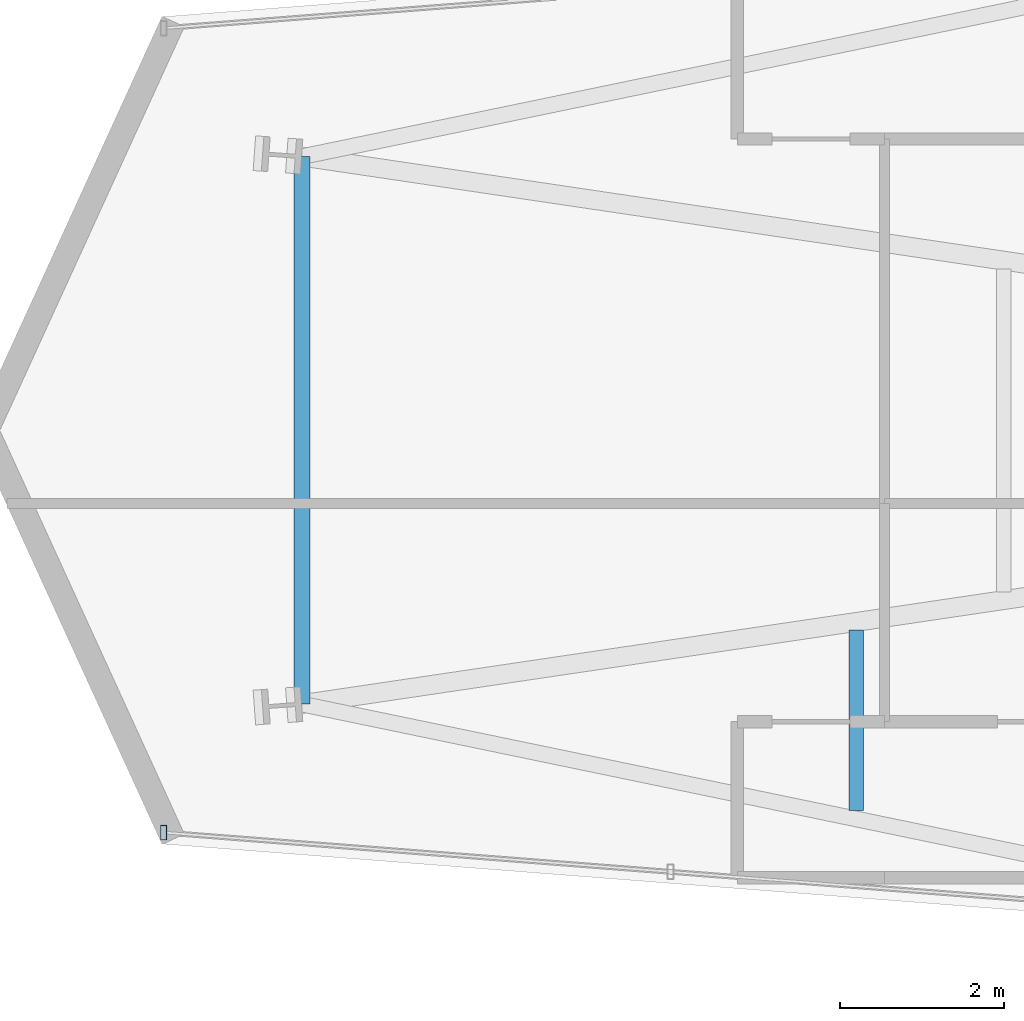
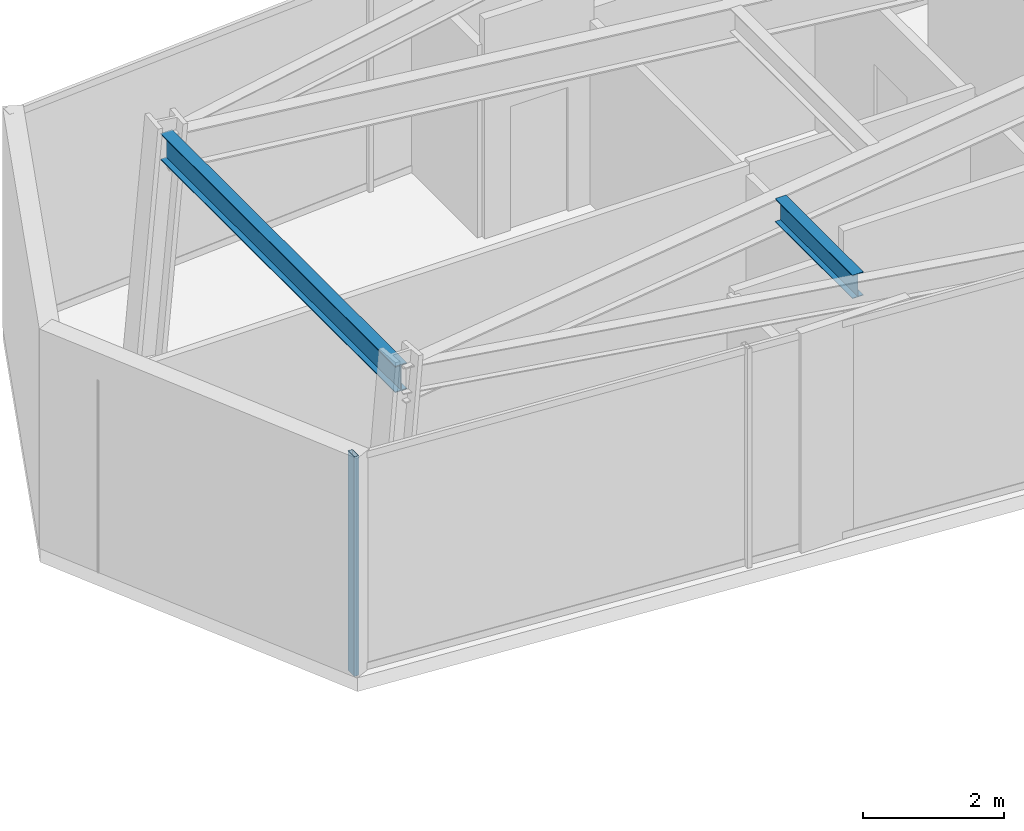
# One storey, part 6 of 29: 2 beams, 1 member, 1 element without a shape of its own.
"""IFC4 building model written with IfcOpenShell, lengths in metres."""

from ifc_helpers import new_model, si_unit, direction, frame, origin, origin_2d, place, context, subcontext, project, spatial, hollow_rectangle, i_section, extrude, material, layer, layer_set, material_profile, profile_set, type_object, element, aggregate, save


model = new_model("IFC4")

# Units and contexts
model_context = context("Model", 3, precision=1e-05, world=origin(), true_north=direction((0.0, 1.0)))
body_context = subcontext(model_context, "Body", "Model", "MODEL_VIEW")
ifc_project = project(units=[si_unit("LENGTHUNIT", "METRE"), si_unit("AREAUNIT", "SQUARE_METRE"), si_unit("VOLUMEUNIT", "CUBIC_METRE"), si_unit("PLANEANGLEUNIT", "RADIAN"), si_unit("MASSUNIT", "GRAM", prefix="KILO")], contexts=[model_context])

# Site, building, storey
site_placement = place(None, origin())
site = spatial("IfcSite", under=ifc_project, at=site_placement, CompositionType="ELEMENT")
building_placement = place(site_placement, origin())
building = spatial("IfcBuilding", under=site, at=building_placement, Name="Veymaron Broadcast Tower", CompositionType="ELEMENT")
storey_placement = place(building_placement, frame((0.0, 0.0, 58.050048828125)))
storey = spatial("IfcBuildingStorey", under=building, at=storey_placement, Name="L12", CompositionType="ELEMENT", Elevation=58.050048828125)

# Beams
ifc_material_1 = material(Name="Structural steel ASTM A992 Gr 50", Category="steel")
ifc_material_profile_1 = material_profile(ifc_material_1, i_section(OverallWidth=0.177978515625, OverallDepth=0.406982421875, WebThickness=0.0078125, FlangeThickness=0.0126953125, at=origin_2d()), Name="W410X60")
ifc_profile_set_1 = profile_set([ifc_material_profile_1], Name="Structural steel ASTM A992 Gr 50")
beam_type_1 = type_object("IfcBeamType", Name="BM-JS1", PredefinedType="JOIST", material=ifc_profile_set_1)
beam_1_placement = place(storey_placement, frame((15.447998046875, 19.365478515625, 3.6064453125), z_axis=(0.0, 1.0, 0.0), x_axis=(-1.0, 0.0, 0.0)))
element("IfcBeam", 1, at=beam_1_placement, inside=storey, type_object=beam_type_1, Name="L12 Arm-A secondary joist 1S", PredefinedType="JOIST", context=body_context, shape_type="SweptSolid", body=[
    extrude(i_section(OverallWidth=0.177978515625, OverallDepth=0.406982421875, WebThickness=0.0078125, FlangeThickness=0.0126953125, at=origin_2d()), origin(), (0.0, 0.0, 1.0), 2.199951171875),
])
ifc_material_profile_2 = material_profile(ifc_material_1, i_section(OverallWidth=0.19091796875, OverallDepth=0.4599609375, WebThickness=0.010009765625, FlangeThickness=0.01611328125, at=origin_2d()), Name="W460X82")
ifc_profile_set_2 = profile_set([ifc_material_profile_2], Name="Structural steel ASTM A992 Gr 50")
beam_type_2 = type_object("IfcBeamType", Name="BM-SP1", PredefinedType="SPANDREL", material=ifc_profile_set_2)
beam_2_placement = place(storey_placement, frame((8.697021484375, 20.6650390625, 3.579833984375), z_axis=(0.0, 1.0, 0.0), x_axis=(-1.0, 0.0, 0.0)))
element("IfcBeam", 2, at=beam_2_placement, inside=storey, type_object=beam_type_2, Name="L12 primary structural floor girder", PredefinedType="SPANDREL", context=body_context, shape_type="SweptSolid", body=[
    extrude(i_section(OverallWidth=0.19091796875, OverallDepth=0.4599609375, WebThickness=0.010009765625, FlangeThickness=0.01611328125, at=origin_2d()), origin(), (0.0, 0.0, 1.0), 6.669921875),
])

# Curtain wall, member
ifc_material_2 = material(Name="Anodised aluminium AA 6063-T6 and laminated low-E dark glass", Category="aluminium")
ifc_layer = layer(ifc_material_2, 0.179931640625)
ifc_layer_set = layer_set([ifc_layer], Name="Anodised aluminium AA 6063-T6 and laminated low-E dark glass")
curtain_wall_type = type_object("IfcCurtainWallType", Name="CW-SYS-02", PredefinedType="NOTDEFINED", material=ifc_layer_set)
curtain_wall_placement = place(storey_placement, origin())
curtain_wall = element("IfcCurtainWall", 3, at=curtain_wall_placement, inside=storey, type_object=curtain_wall_type, Name="L12 dark-glass curtain wall CW-L12-E14-1", PredefinedType="NOTDEFINED")
ifc_material_3 = material(Name="Anodised aluminium AA 6063-T6", Category="aluminium")
ifc_material_profile_3 = material_profile(ifc_material_3, hollow_rectangle(XDim=0.074951171875, YDim=0.179931640625, WallThickness=0.0048828125, at=origin_2d()), Name="AL180X75X5")
ifc_profile_set_3 = profile_set([ifc_material_profile_3], Name="Anodised aluminium AA 6063-T6")
member_type = type_object("IfcMemberType", Name="CW-MUL-02", PredefinedType="MULLION", material=ifc_profile_set_3)
member_placement = place(storey_placement, frame((7.0107421875, 19.099853515625, 0.0), z_axis=(0.0, 0.0, 1.0), x_axis=(1.0, 0.0, 0.0)))
member = element("IfcMember", 4, at=member_placement, type_object=member_type, Name="CW-L12-E14-1 mullion 0", PredefinedType="MULLION", context=body_context, shape_type="SweptSolid", body=[
    extrude(hollow_rectangle(XDim=0.074951171875, YDim=0.179931640625, WallThickness=0.0048828125, at=origin_2d()), origin(), (0.0, 0.0, 1.0), 3.81005859375),
])
aggregate(curtain_wall, [member])

save(model, "model.ifc")
